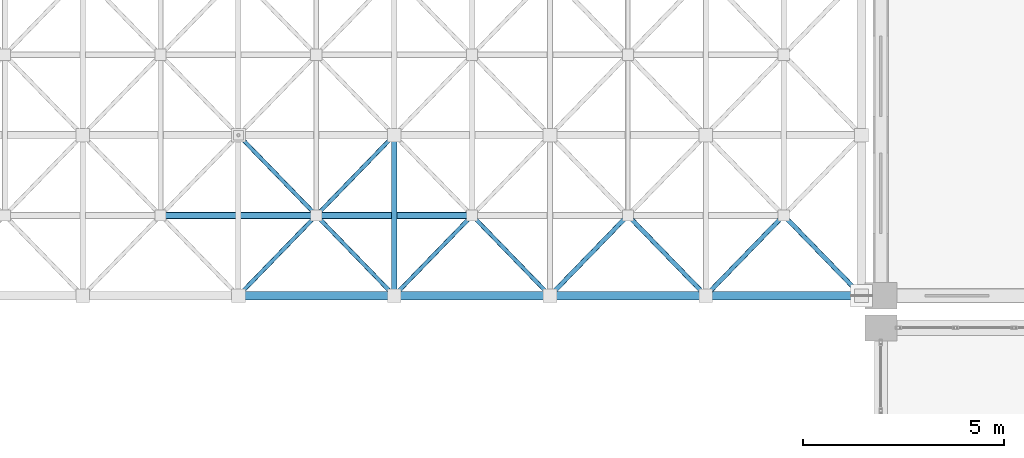
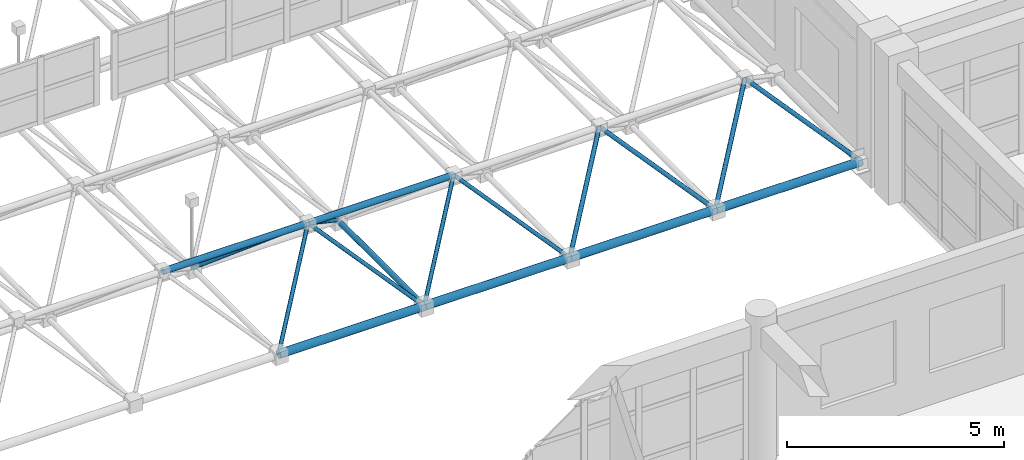
# One storey, part 49 of 195: 17 members.
"""IFC4 building model written with IfcOpenShell, lengths in metres."""

from ifc_helpers import new_model, si_unit, direction, frame, origin, origin_2d, place, context, subcontext, project, spatial, hollow_circle, extrude, material, material_profile, profile_set, type_object, element, save


model = new_model("IFC4")

# Units and contexts
model_context = context("Model", 3, precision=1e-05, world=origin(), true_north=direction((0.0, 1.0)))
body_context = subcontext(model_context, "Body", "Model", "MODEL_VIEW")
ifc_project = project(units=[si_unit("LENGTHUNIT", "METRE"), si_unit("AREAUNIT", "SQUARE_METRE"), si_unit("VOLUMEUNIT", "CUBIC_METRE"), si_unit("PLANEANGLEUNIT", "RADIAN"), si_unit("MASSUNIT", "GRAM", prefix="KILO")], contexts=[model_context])

# Site, building, storey
site_placement = place(None, origin())
site = spatial("IfcSite", under=ifc_project, at=site_placement, CompositionType="ELEMENT")
building_placement = place(site_placement, origin())
building = spatial("IfcBuilding", under=site, at=building_placement, Name="Kharva Crest Polytechnic", CompositionType="ELEMENT")
storey_placement = place(building_placement, frame((0.0, 0.0, 9.0)))
storey = spatial("IfcBuildingStorey", under=building, at=storey_placement, Name="L02", CompositionType="ELEMENT", Elevation=9.0)

# Members
ifc_material = material(Name="Steel S355", Category="steel")
ifc_material_profile_1 = material_profile(ifc_material, hollow_circle(Radius=0.05078125, WallThickness=0.0048828125, at=origin_2d()), Name="CHS 101.6X5.0")
ifc_profile_set_1 = profile_set([ifc_material_profile_1], Name="Steel S355")
member_type_1 = type_object("IfcMemberType", Name="MEM-CHS101", PredefinedType="BRACE", material=ifc_profile_set_1)
for number, where, z_axis, x_axis, name in (
    (1, (16.0, 38.800048828125, 0.60009765625), (0.584843378742, 0.602949529154, 0.542595694449), (-0.717802189577, 0.696247094528, 0.0), "Space Frame Web Diagonal 673"),
    (2, (19.8798828125, 38.800048828125, 0.60009765625), (-0.584843378742, 0.602949529154, 0.542595694449), (-0.717802189577, -0.696247094528, 0.0), "Space Frame Web Diagonal 674"),
    (3, (16.0, 42.800048828125, 0.60009765625), (0.584843378742, -0.602949529154, 0.542595694449), (0.717802189577, 0.696247094528, 0.0), "Space Frame Web Diagonal 675"),
    (4, (19.8798828125, 42.800048828125, 0.60009765625), (-0.584843378742, -0.602949529154, 0.542595694449), (0.717802189577, -0.696247094528, 0.0), "Space Frame Web Diagonal 676"),
    (5, (19.8798828125, 38.800048828125, 0.60009765625), (0.584891802813, 0.602923574763, 0.542572338032), (-0.717758400015, 0.696292236929, 0.0), "Space Frame Web Diagonal 729"),
    (6, (23.760009765625, 38.800048828125, 0.60009765625), (-0.584843378742, 0.602949529154, 0.542595694449), (-0.717802189577, -0.696247094528, 0.0), "Space Frame Web Diagonal 730"),
):
    element("IfcMember", number, at=place(storey_placement, frame(where, z_axis=z_axis, x_axis=x_axis)), inside=storey, type_object=member_type_1, Name=name, PredefinedType="BRACE", context=body_context, shape_type="SweptSolid", body=[
        extrude(hollow_circle(Radius=0.05078125, WallThickness=0.0048828125, at=origin_2d()), origin(), (0.0, 0.0, 1.0), 3.317138671875),
    ])
ifc_material_profile_2 = material_profile(ifc_material, hollow_circle(Radius=0.05712890625, WallThickness=0.00634765625, at=origin_2d()), Name="CHS 114.3X6.3")
ifc_profile_set_2 = profile_set([ifc_material_profile_2], Name="Steel S355")
member_type_2 = type_object("IfcMemberType", Name="MEM-CHS114", PredefinedType="BRACE", material=ifc_profile_set_2)
for number, where, z_axis, x_axis, name in (
    (7, (23.760009765625, 38.800048828125, 0.60009765625), (0.584843378742, 0.602949529154, 0.542595694449), (-0.717802189577, 0.696247094528, 0.0), "Space Frame Web Diagonal 785"),
    (8, (27.639892578125, 38.800048828125, 0.60009765625), (-0.584843378742, 0.602949529154, 0.542595694449), (-0.717802189577, -0.696247094528, 0.0), "Space Frame Web Diagonal 786"),
    (9, (27.639892578125, 38.800048828125, 0.60009765625), (0.584891802813, 0.602923574763, 0.542572338032), (-0.717758400015, 0.696292236929, 0.0), "Space Frame Web Diagonal 841"),
    (10, (31.52001953125, 38.800048828125, 0.60009765625), (-0.584843378742, 0.602949529154, 0.542595694449), (-0.717802189577, -0.696247094528, 0.0), "Space Frame Web Diagonal 842"),
):
    element("IfcMember", number, at=place(storey_placement, frame(where, z_axis=z_axis, x_axis=x_axis)), inside=storey, type_object=member_type_2, Name=name, PredefinedType="BRACE", context=body_context, shape_type="SweptSolid", body=[
        extrude(hollow_circle(Radius=0.05712890625, WallThickness=0.00634765625, at=origin_2d()), origin(), (0.0, 0.0, 1.0), 3.317138671875),
    ])
ifc_material_profile_3 = material_profile(ifc_material, hollow_circle(Radius=0.06982421875, WallThickness=0.00634765625, at=origin_2d()), Name="CHS 139.7X6.3")
ifc_profile_set_3 = profile_set([ifc_material_profile_3], Name="Steel S355")
member_type_3 = type_object("IfcMemberType", Name="MEM-CHS139", PredefinedType="CHORD", material=ifc_profile_set_3)
member_1_placement = place(storey_placement, frame((19.8798828125, 38.800048828125, 0.60009765625), z_axis=(0.0, 1.0, 0.0), x_axis=(-1.0, 0.0, 0.0)))
element("IfcMember", 11, at=member_1_placement, inside=storey, type_object=member_type_3, Name="Space Frame Bottom Chord Y 191", PredefinedType="CHORD", context=body_context, shape_type="SweptSolid", body=[
    extrude(hollow_circle(Radius=0.06982421875, WallThickness=0.00634765625, at=origin_2d()), origin(), (0.0, 0.0, 1.0), 4.0),
])
ifc_material_profile_4 = material_profile(ifc_material, hollow_circle(Radius=0.084228515625, WallThickness=0.008056640625, at=origin_2d()), Name="CHS 168.3X8.0")
ifc_profile_set_4 = profile_set([ifc_material_profile_4], Name="Steel S355")
member_type_4 = type_object("IfcMemberType", Name="MEM-CHS168", PredefinedType="CHORD", material=ifc_profile_set_4)
member_2_placement = place(storey_placement, frame((14.06005859375, 40.800048828125, 2.39990234375), z_axis=(1.0, 0.0, 0.0), x_axis=(0.0, 1.0, 0.0)))
element("IfcMember", 12, at=member_2_placement, inside=storey, type_object=member_type_4, Name="Space Frame Top Chord X 250", PredefinedType="CHORD", context=body_context, shape_type="SweptSolid", body=[
    extrude(hollow_circle(Radius=0.084228515625, WallThickness=0.008056640625, at=origin_2d()), origin(), (0.0, 0.0, 1.0), 3.8798828125),
])
member_3_placement = place(storey_placement, frame((17.93994140625, 40.800048828125, 2.39990234375), z_axis=(1.0, 0.0, 0.0), x_axis=(0.0, 1.0, 0.0)))
element("IfcMember", 13, at=member_3_placement, inside=storey, type_object=member_type_4, Name="Space Frame Top Chord X 251", PredefinedType="CHORD", context=body_context, shape_type="SweptSolid", body=[
    extrude(hollow_circle(Radius=0.084228515625, WallThickness=0.008056640625, at=origin_2d()), origin(), (0.0, 0.0, 1.0), 3.880126953125),
])
ifc_material_profile_5 = material_profile(ifc_material, hollow_circle(Radius=0.109619140625, WallThickness=0.010009765625, at=origin_2d()), Name="CHS 219.1X10.0")
ifc_profile_set_5 = profile_set([ifc_material_profile_5], Name="Steel S355")
member_type_5 = type_object("IfcMemberType", Name="MEM-CHS219", PredefinedType="CHORD", material=ifc_profile_set_5)
member_4_placement = place(storey_placement, frame((16.0, 38.800048828125, 0.60009765625), z_axis=(1.0, 0.0, 0.0), x_axis=(0.0, 1.0, 0.0)))
element("IfcMember", 14, at=member_4_placement, inside=storey, type_object=member_type_5, Name="Space Frame Bottom Chord X 5", PredefinedType="CHORD", context=body_context, shape_type="SweptSolid", body=[
    extrude(hollow_circle(Radius=0.109619140625, WallThickness=0.010009765625, at=origin_2d()), origin(), (0.0, 0.0, 1.0), 3.8798828125),
])
member_5_placement = place(storey_placement, frame((19.8798828125, 38.800048828125, 0.60009765625), z_axis=(1.0, 0.0, 0.0), x_axis=(0.0, 1.0, 0.0)))
element("IfcMember", 15, at=member_5_placement, inside=storey, type_object=member_type_5, Name="Space Frame Bottom Chord X 6", PredefinedType="CHORD", context=body_context, shape_type="SweptSolid", body=[
    extrude(hollow_circle(Radius=0.109619140625, WallThickness=0.010009765625, at=origin_2d()), origin(), (0.0, 0.0, 1.0), 3.880126953125),
])
member_6_placement = place(storey_placement, frame((23.760009765625, 38.800048828125, 0.60009765625), z_axis=(1.0, 0.0, 0.0), x_axis=(0.0, 1.0, 0.0)))
element("IfcMember", 16, at=member_6_placement, inside=storey, type_object=member_type_5, Name="Space Frame Bottom Chord X 7", PredefinedType="CHORD", context=body_context, shape_type="SweptSolid", body=[
    extrude(hollow_circle(Radius=0.109619140625, WallThickness=0.010009765625, at=origin_2d()), origin(), (0.0, 0.0, 1.0), 3.8798828125),
])
member_7_placement = place(storey_placement, frame((27.639892578125, 38.800048828125, 0.60009765625), z_axis=(1.0, 0.0, 0.0), x_axis=(0.0, 1.0, 0.0)))
element("IfcMember", 17, at=member_7_placement, inside=storey, type_object=member_type_5, Name="Space Frame Bottom Chord X 8", PredefinedType="CHORD", context=body_context, shape_type="SweptSolid", body=[
    extrude(hollow_circle(Radius=0.109619140625, WallThickness=0.010009765625, at=origin_2d()), origin(), (0.0, 0.0, 1.0), 3.880126953125),
])

save(model, "model.ifc")
